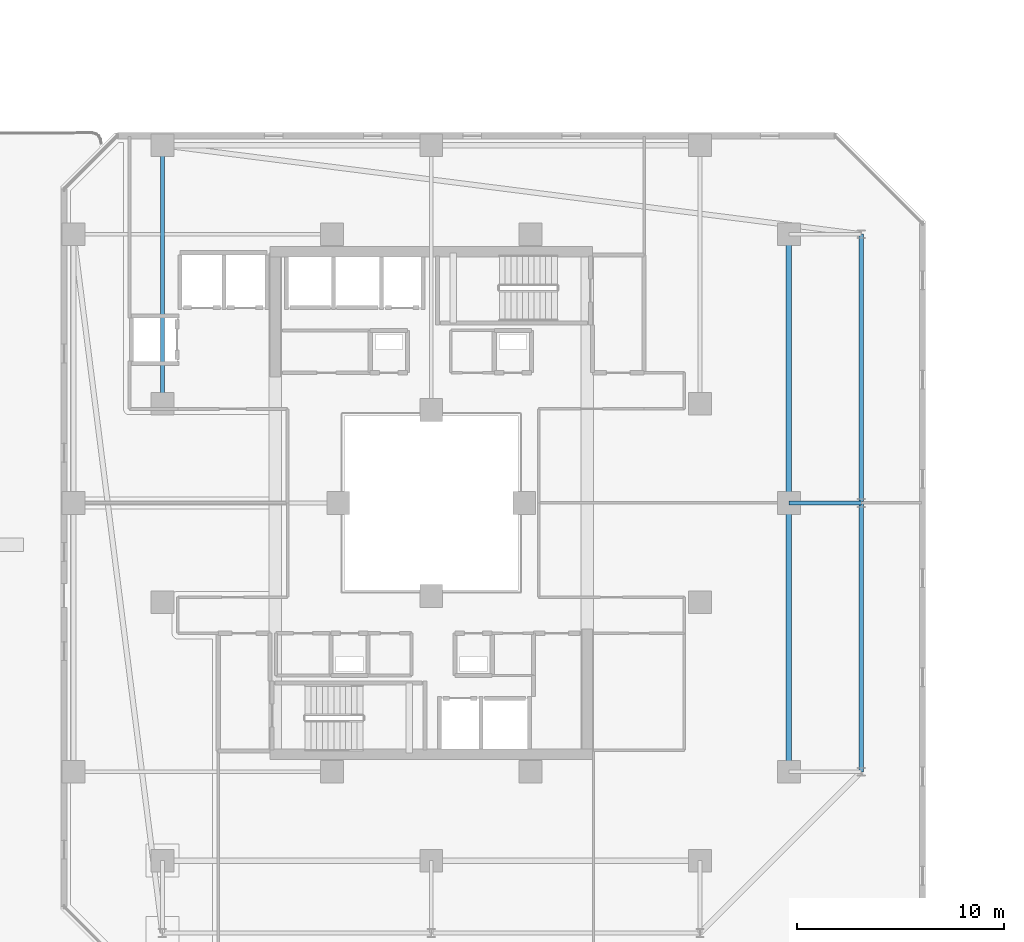
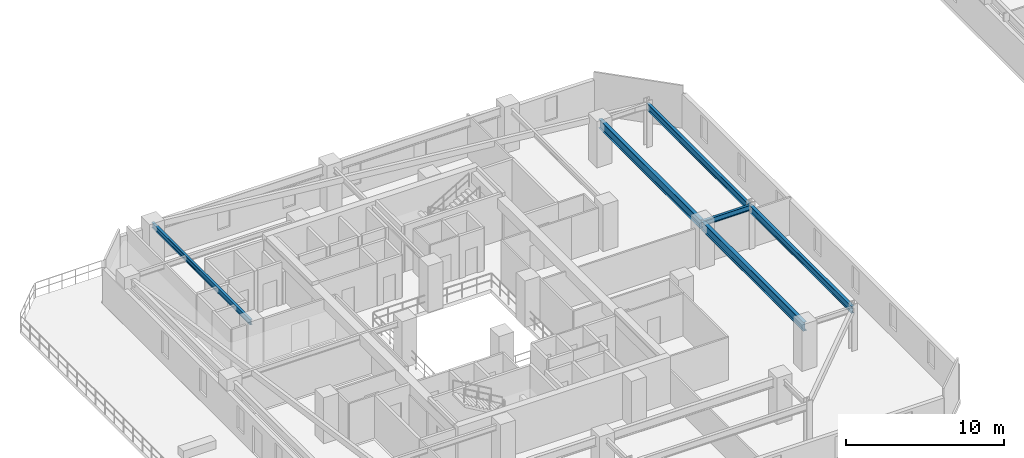
# One storey, part 6 of 30: 6 beams.
"""IFC4 building model written with IfcOpenShell, lengths in metres."""

from ifc_helpers import new_model, si_unit, direction, frame, origin, origin_2d, place, context, subcontext, project, spatial, i_section, extrude, material, material_profile, profile_set, type_object, element, save


model = new_model("IFC4")

# Units and contexts
model_context = context("Model", 3, precision=1e-05, world=origin(), true_north=direction((0.0, 1.0)))
body_context = subcontext(model_context, "Body", "Model", "MODEL_VIEW")
ifc_project = project(units=[si_unit("LENGTHUNIT", "METRE"), si_unit("AREAUNIT", "SQUARE_METRE"), si_unit("VOLUMEUNIT", "CUBIC_METRE"), si_unit("PLANEANGLEUNIT", "RADIAN"), si_unit("MASSUNIT", "GRAM", prefix="KILO")], contexts=[model_context])

# Site, building, storey
site_placement = place(None, origin())
site = spatial("IfcSite", under=ifc_project, at=site_placement, CompositionType="ELEMENT")
building_placement = place(site_placement, origin())
building = spatial("IfcBuilding", under=site, at=building_placement, Name="Thornwick Lancets Civic Towers", CompositionType="ELEMENT")
storey_placement = place(building_placement, frame((0.0, 0.0, 149.10009765625)))
storey = spatial("IfcBuildingStorey", under=building, at=storey_placement, Name="L39", CompositionType="ELEMENT", Elevation=149.10009765625)

# Beams
ifc_material = material(Name="Steel S355JR", Category="steel")
ifc_material_profile_1 = material_profile(ifc_material, i_section(OverallWidth=0.210693359375, OverallDepth=0.53955078125, WebThickness=0.01171875, FlangeThickness=0.018798828125, FilletRadius=0.0126953125, at=origin_2d()), Name="UKB 533x210x109")
ifc_profile_set_1 = profile_set([ifc_material_profile_1], Name="Steel S355JR")
beam_type_1 = type_object("IfcBeamType", Name="BM_EDGE_533_109", PredefinedType="SPANDREL", material=ifc_profile_set_1)
beam_1_placement = place(storey_placement, frame((46.300048828125, 14.0, 3.050048828125), z_axis=(0.0, 1.0, 0.0), x_axis=(-1.0, 0.0, 0.0)))
element("IfcBeam", 1, at=beam_1_placement, inside=storey, type_object=beam_type_1, Name="BM-EDGE-L39-A-S1-1", PredefinedType="SPANDREL", context=body_context, shape_type="SweptSolid", body=[
    extrude(i_section(OverallWidth=0.210693359375, OverallDepth=0.53955078125, WebThickness=0.01171875, FlangeThickness=0.018798828125, FilletRadius=0.0126953125, at=origin_2d()), origin(), (0.0, 0.0, 1.0), 13.0),
])
beam_2_placement = place(storey_placement, frame((46.300048828125, 27.080078125, 3.050048828125), z_axis=(0.0, 1.0, 0.0), x_axis=(-1.0, 0.0, 0.0)))
element("IfcBeam", 2, at=beam_2_placement, inside=storey, type_object=beam_type_1, Name="BM-EDGE-L39-A-S1-2", PredefinedType="SPANDREL", context=body_context, shape_type="SweptSolid", body=[
    extrude(i_section(OverallWidth=0.210693359375, OverallDepth=0.53955078125, WebThickness=0.01171875, FlangeThickness=0.018798828125, FilletRadius=0.0126953125, at=origin_2d()), origin(), (0.0, 0.0, 1.0), 12.919921875),
])
ifc_material_profile_2 = material_profile(ifc_material, i_section(OverallWidth=0.255859375, OverallDepth=0.69287109375, WebThickness=0.014404296875, FlangeThickness=0.023681640625, FilletRadius=0.01513671875, at=origin_2d()), Name="UKB 686x254x170")
ifc_profile_set_2 = profile_set([ifc_material_profile_2], Name="Steel S355JR")
beam_type_2 = type_object("IfcBeamType", Name="BM_GIRD_686_170", PredefinedType="BEAM", material=ifc_profile_set_2)
beam_3_placement = place(storey_placement, frame((42.800048828125, 14.0, 2.973388671875), z_axis=(0.0, 1.0, 0.0), x_axis=(-1.0, 0.0, 0.0)))
element("IfcBeam", 3, at=beam_3_placement, inside=storey, type_object=beam_type_2, Name="BM-SPINE-L39-A-3-4", PredefinedType="BEAM", context=body_context, shape_type="SweptSolid", body=[
    extrude(i_section(OverallWidth=0.255859375, OverallDepth=0.69287109375, WebThickness=0.014404296875, FlangeThickness=0.023681640625, FilletRadius=0.01513671875, at=origin_2d()), origin(), (0.0, 0.0, 1.0), 13.0),
])
beam_4_placement = place(storey_placement, frame((42.800048828125, 27.080078125, 2.973388671875), z_axis=(0.0, 1.0, 0.0), x_axis=(-1.0, 0.0, 0.0)))
element("IfcBeam", 4, at=beam_4_placement, inside=storey, type_object=beam_type_2, Name="BM-SPINE-L39-A-4-5", PredefinedType="BEAM", context=body_context, shape_type="SweptSolid", body=[
    extrude(i_section(OverallWidth=0.255859375, OverallDepth=0.69287109375, WebThickness=0.014404296875, FlangeThickness=0.023681640625, FilletRadius=0.01513671875, at=origin_2d()), origin(), (0.0, 0.0, 1.0), 12.919921875),
])
ifc_material_profile_3 = material_profile(ifc_material, i_section(OverallWidth=0.179443359375, OverallDepth=0.412841796875, WebThickness=0.009521484375, FlangeThickness=0.01611328125, FilletRadius=0.01025390625, at=origin_2d()), Name="UKB 406x178x74")
ifc_profile_set_3 = profile_set([ifc_material_profile_3], Name="Steel S355JR")
beam_type_3 = type_object("IfcBeamType", Name="BM_JOIST_406_74", PredefinedType="JOIST", material=ifc_profile_set_3)
beam_5_placement = place(storey_placement, frame((42.800048828125, 27.0, 3.113525390625), z_axis=(1.0, 0.0, 0.0), x_axis=(0.0, 1.0, 0.0)))
element("IfcBeam", 5, at=beam_5_placement, inside=storey, type_object=beam_type_3, Name="BM-RAD-L39-A05", PredefinedType="JOIST", context=body_context, shape_type="SweptSolid", body=[
    extrude(i_section(OverallWidth=0.179443359375, OverallDepth=0.412841796875, WebThickness=0.009521484375, FlangeThickness=0.01611328125, FilletRadius=0.01025390625, at=origin_2d()), origin(), (0.0, 0.0, 1.0), 3.5),
])
beam_6_placement = place(storey_placement, frame((12.5, 31.800048828125, 3.113525390625), z_axis=(0.0, 1.0, 0.0), x_axis=(-1.0, 0.0, 0.0)))
element("IfcBeam", 6, at=beam_6_placement, inside=storey, type_object=beam_type_3, Name="BM-RADIN-L39-A07", PredefinedType="JOIST", context=body_context, shape_type="SweptSolid", body=[
    extrude(i_section(OverallWidth=0.179443359375, OverallDepth=0.412841796875, WebThickness=0.009521484375, FlangeThickness=0.01611328125, FilletRadius=0.01025390625, at=origin_2d()), origin(), (0.0, 0.0, 1.0), 12.5),
])

save(model, "model.ifc")
